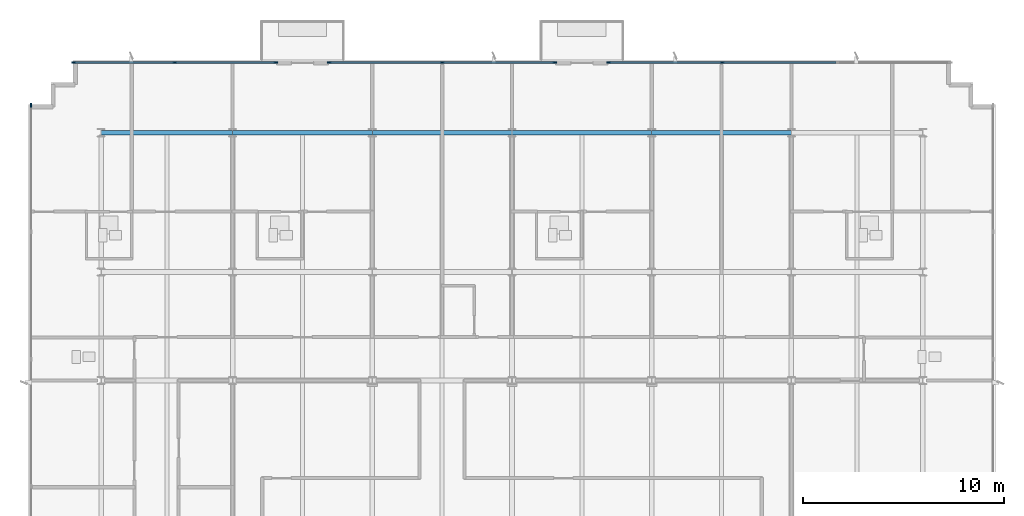
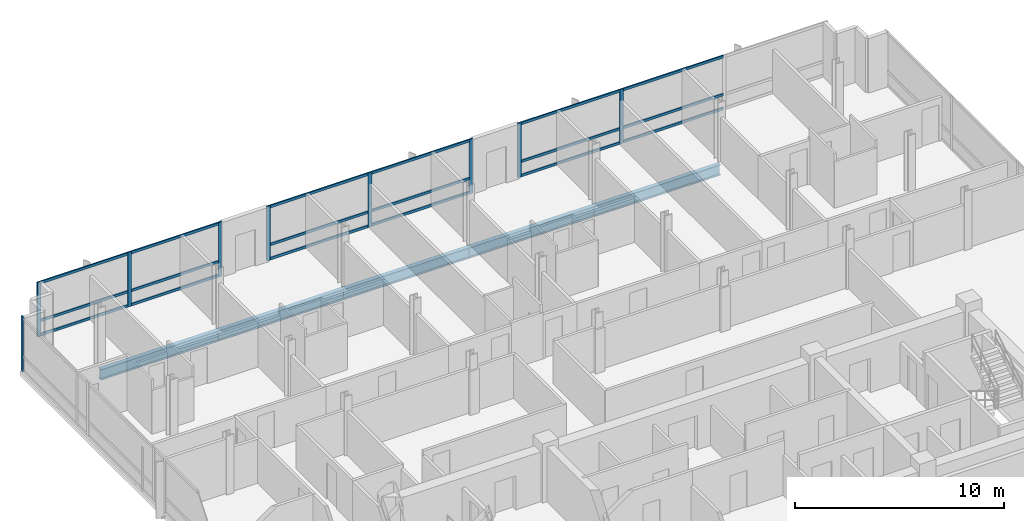
# One storey, part 5 of 15: 27 members, 5 beams, 4 elements without a shape of their own.
"""IFC4 building model written with IfcOpenShell, lengths in metres."""

from ifc_helpers import new_model, si_unit, direction, frame, origin, origin_2d, place, context, subcontext, project, spatial, rectangle, i_section, extrude, material, material_profile, profile_set, type_object, element, aggregate, save


model = new_model("IFC4")

# Units and contexts
model_context = context("Model", 3, precision=1e-05, world=origin(), true_north=direction((0.0, 1.0)))
body_context = subcontext(model_context, "Body", "Model", "MODEL_VIEW")
ifc_project = project(units=[si_unit("LENGTHUNIT", "METRE"), si_unit("AREAUNIT", "SQUARE_METRE"), si_unit("VOLUMEUNIT", "CUBIC_METRE"), si_unit("PLANEANGLEUNIT", "RADIAN"), si_unit("MASSUNIT", "GRAM", prefix="KILO")], contexts=[model_context])

# Site, building, storey
site_placement = place(None, origin())
site = spatial("IfcSite", under=ifc_project, at=site_placement, CompositionType="ELEMENT")
building_placement = place(site_placement, origin())
building = spatial("IfcBuilding", under=site, at=building_placement, Name="Solmavex Isthmus Hotel", CompositionType="ELEMENT")
storey_placement = place(building_placement, frame((0.0, 0.0, 259.199951171875)))
storey = spatial("IfcBuildingStorey", under=building, at=storey_placement, Name="L70", CompositionType="ELEMENT", Elevation=259.199951171875)

# Beams
ifc_material_1 = material(Name="Steel ASTM A992 Grade 50", Category="steel")
ifc_material_profile_1 = material_profile(ifc_material_1, i_section(OverallWidth=0.230224609375, OverallDepth=0.617431640625, WebThickness=0.01318359375, FlangeThickness=0.022216796875, FilletRadius=0.01513671875, at=origin_2d()), Name="W24X94")
ifc_profile_set_1 = profile_set([ifc_material_profile_1], Name="Steel ASTM A992 Grade 50")
beam_type = type_object("IfcBeamType", Name="BM-SP-W24X94", PredefinedType="SPANDREL", material=ifc_profile_set_1)
beam_placement = place(storey_placement, frame((-20.39990234375, 17.699951171875, -0.568603515625), z_axis=(1.0, 0.0, 0.0), x_axis=(0.0, 1.0, 0.0)))
element("IfcBeam", 1, at=beam_placement, inside=storey, type_object=beam_type, Name="Floor Girder L70-UG15", PredefinedType="SPANDREL", context=body_context, shape_type="SweptSolid", body=[
    extrude(i_section(OverallWidth=0.230224609375, OverallDepth=0.617431640625, WebThickness=0.01318359375, FlangeThickness=0.022216796875, FilletRadius=0.01513671875, at=origin_2d()), origin(), (0.0, 0.0, 1.0), 6.52783203125),
])
for number, where, z_axis, x_axis, name in (
    (2, (-13.8720703125, 17.699951171875, -0.568603515625), (1.0, 0.0, 0.0), (0.0, 1.0, 0.0), "Floor Girder L70-UG16"),
    (3, (-6.93603515625, 17.699951171875, -0.568603515625), (1.0, 0.0, 0.0), (0.0, 1.0, 0.0), "Floor Girder L70-UG17"),
    (4, (0.0, 17.699951171875, -0.568603515625), (1.0, 0.0, 0.0), (0.0, 1.0, 0.0), "Floor Girder L70-UG18"),
    (5, (6.93603515625, 17.699951171875, -0.568603515625), (1.0, 0.0, 0.0), (0.0, 1.0, 0.0), "Floor Girder L70-UG19"),
):
    element("IfcBeam", number, at=place(storey_placement, frame(where, z_axis=z_axis, x_axis=x_axis)), inside=storey, type_object=beam_type, Name=name, PredefinedType="SPANDREL", context=body_context, shape_type="SweptSolid", body=[
        extrude(i_section(OverallWidth=0.230224609375, OverallDepth=0.617431640625, WebThickness=0.01318359375, FlangeThickness=0.022216796875, FilletRadius=0.01513671875, at=origin_2d()), origin(), (0.0, 0.0, 1.0), 6.93603515625),
    ])

# Curtain wall, members
ifc_material_2 = material(Name="Aluminium alloy 6063-T6", Category="aluminium")
curtain_wall_type = type_object("IfcCurtainWallType", Name="CW-SYS-04", PredefinedType="NOTDEFINED", material=ifc_material_2)
curtain_wall_1_placement = place(storey_placement, origin())
curtain_wall_1 = element("IfcCurtainWall", 6, at=curtain_wall_1_placement, inside=storey, type_object=curtain_wall_type, Name="Stick Curtain Wall CWL-L70-N1", PredefinedType="NOTDEFINED")
ifc_material_profile_2 = material_profile(ifc_material_2, rectangle(XDim=0.074951171875, YDim=0.199951171875, at=origin_2d()), Name="CWM-75X200")
ifc_profile_set_2 = profile_set([ifc_material_profile_2], Name="Aluminium alloy 6063-T6")
member_type_1 = type_object("IfcMemberType", Name="CW-SYS-04-MUL", PredefinedType="MULLION", material=ifc_profile_set_2)
member_1_placement = place(storey_placement, frame((-21.762451171875, 21.179931640625, 0.0), z_axis=(0.0, 0.0, 1.0), x_axis=(0.0, 1.0, 0.0)))
member_1 = element("IfcMember", 7, at=member_1_placement, type_object=member_type_1, Name="CW-04 mullion 1", PredefinedType="MULLION", context=body_context, shape_type="SweptSolid", body=[
    extrude(rectangle(XDim=0.074951171875, YDim=0.199951171875, at=origin_2d()), origin(), (0.0, 0.0, 1.0), 3.18994140625),
])
member_2_placement = place(storey_placement, frame((-16.751953125, 21.179931640625, 0.0), z_axis=(0.0, 0.0, 1.0), x_axis=(0.0, 1.0, 0.0)))
member_2 = element("IfcMember", 8, at=member_2_placement, type_object=member_type_1, Name="CW-04 mullion 2", PredefinedType="MULLION", context=body_context, shape_type="SweptSolid", body=[
    extrude(rectangle(XDim=0.074951171875, YDim=0.199951171875, at=origin_2d()), origin(), (0.0, 0.0, 1.0), 3.18994140625),
])
member_3_placement = place(storey_placement, frame((-11.741455078125, 21.179931640625, 0.0), z_axis=(0.0, 0.0, 1.0), x_axis=(0.0, 1.0, 0.0)))
member_3 = element("IfcMember", 9, at=member_3_placement, type_object=member_type_1, Name="CW-04 mullion 3", PredefinedType="MULLION", context=body_context, shape_type="SweptSolid", body=[
    extrude(rectangle(XDim=0.074951171875, YDim=0.199951171875, at=origin_2d()), origin(), (0.0, 0.0, 1.0), 3.18994140625),
])

curtain_wall_2_placement = place(storey_placement, origin())
curtain_wall_2 = element("IfcCurtainWall", 10, at=curtain_wall_2_placement, inside=storey, type_object=curtain_wall_type, Name="Stick Curtain Wall CWL-L70-N2", PredefinedType="NOTDEFINED")
member_4_placement = place(storey_placement, frame((-9.06640625, 21.179931640625, 0.0), z_axis=(0.0, 0.0, 1.0), x_axis=(0.0, 1.0, 0.0)))
member_4 = element("IfcMember", 11, at=member_4_placement, type_object=member_type_1, Name="CW-04 mullion 1", PredefinedType="MULLION", context=body_context, shape_type="SweptSolid", body=[
    extrude(rectangle(XDim=0.074951171875, YDim=0.199951171875, at=origin_2d()), origin(), (0.0, 0.0, 1.0), 3.18994140625),
])
member_5_placement = place(storey_placement, frame((-3.468017578125, 21.179931640625, 0.0), z_axis=(0.0, 0.0, 1.0), x_axis=(0.0, 1.0, 0.0)))
member_5 = element("IfcMember", 12, at=member_5_placement, type_object=member_type_1, Name="CW-04 mullion 2", PredefinedType="MULLION", context=body_context, shape_type="SweptSolid", body=[
    extrude(rectangle(XDim=0.074951171875, YDim=0.199951171875, at=origin_2d()), origin(), (0.0, 0.0, 1.0), 3.18994140625),
])
member_6_placement = place(storey_placement, frame((2.130615234375, 21.179931640625, 0.0), z_axis=(0.0, 0.0, 1.0), x_axis=(0.0, 1.0, 0.0)))
member_6 = element("IfcMember", 13, at=member_6_placement, type_object=member_type_1, Name="CW-04 mullion 3", PredefinedType="MULLION", context=body_context, shape_type="SweptSolid", body=[
    extrude(rectangle(XDim=0.074951171875, YDim=0.199951171875, at=origin_2d()), origin(), (0.0, 0.0, 1.0), 3.18994140625),
])

curtain_wall_3_placement = place(storey_placement, origin())
curtain_wall_3 = element("IfcCurtainWall", 14, at=curtain_wall_3_placement, inside=storey, type_object=curtain_wall_type, Name="Stick Curtain Wall CWL-L70-N3", PredefinedType="NOTDEFINED")
member_7_placement = place(storey_placement, frame((4.805419921875, 21.179931640625, 0.0), z_axis=(0.0, 0.0, 1.0), x_axis=(0.0, 1.0, 0.0)))
member_7 = element("IfcMember", 15, at=member_7_placement, type_object=member_type_1, Name="CW-04 mullion 1", PredefinedType="MULLION", context=body_context, shape_type="SweptSolid", body=[
    extrude(rectangle(XDim=0.074951171875, YDim=0.199951171875, at=origin_2d()), origin(), (0.0, 0.0, 1.0), 3.18994140625),
])
member_8_placement = place(storey_placement, frame((10.4453125, 21.179931640625, 0.0), z_axis=(0.0, 0.0, 1.0), x_axis=(0.0, 1.0, 0.0)))
member_8 = element("IfcMember", 16, at=member_8_placement, type_object=member_type_1, Name="CW-04 mullion 2", PredefinedType="MULLION", context=body_context, shape_type="SweptSolid", body=[
    extrude(rectangle(XDim=0.074951171875, YDim=0.199951171875, at=origin_2d()), origin(), (0.0, 0.0, 1.0), 3.18994140625),
])

# Curtain wall, member
curtain_wall_4_placement = place(storey_placement, origin())
curtain_wall_4 = element("IfcCurtainWall", 17, at=curtain_wall_4_placement, inside=storey, type_object=curtain_wall_type, Name="Stick Curtain Wall CWL-L70-W1", PredefinedType="NOTDEFINED")
member_9_placement = place(storey_placement, frame((-23.8798828125, 19.0625, 0.0), z_axis=(0.0, 0.0, 1.0), x_axis=(-1.0, 0.0, 0.0)))
member_9 = element("IfcMember", 18, at=member_9_placement, type_object=member_type_1, Name="CW-04 mullion 6", PredefinedType="MULLION", context=body_context, shape_type="SweptSolid", body=[
    extrude(rectangle(XDim=0.074951171875, YDim=0.199951171875, at=origin_2d()), origin(), (0.0, 0.0, 1.0), 3.18994140625),
])
aggregate(curtain_wall_4, [member_9])

# Member
ifc_material_profile_3 = material_profile(ifc_material_2, rectangle(XDim=0.074951171875, YDim=0.14990234375, at=origin_2d()), Name="CWT-75X150")
ifc_profile_set_3 = profile_set([ifc_material_profile_3], Name="Aluminium alloy 6063-T6")
member_type_2 = type_object("IfcMemberType", Name="CW-SYS-04-TRN", PredefinedType="USERDEFINED", material=ifc_profile_set_3)
member_10_placement = place(storey_placement, frame((-21.72509765625, 21.179931640625, 0.074951171875), z_axis=(1.0, 0.0, 0.0), x_axis=(0.0, 1.0, 0.0)))
member_10 = element("IfcMember", 19, at=member_10_placement, type_object=member_type_2, Name="CW-04 transom 1.1", ObjectType="TRANSOM", PredefinedType="USERDEFINED", context=body_context, shape_type="SweptSolid", body=[
    extrude(rectangle(XDim=0.074951171875, YDim=0.14990234375, at=origin_2d()), origin(), (0.0, 0.0, 1.0), 4.935546875),
])

member_11_placement = place(storey_placement, frame((-21.72509765625, 21.179931640625, 0.900146484375), z_axis=(1.0, 0.0, 0.0), x_axis=(0.0, 1.0, 0.0)))
member_11 = element("IfcMember", 20, at=member_11_placement, type_object=member_type_2, Name="CW-04 transom 1.2", ObjectType="TRANSOM", PredefinedType="USERDEFINED", context=body_context, shape_type="SweptSolid", body=[
    extrude(rectangle(XDim=0.074951171875, YDim=0.14990234375, at=origin_2d()), origin(), (0.0, 0.0, 1.0), 4.935546875),
])

member_12_placement = place(storey_placement, frame((-21.72509765625, 21.179931640625, 3.114990234375), z_axis=(1.0, 0.0, 0.0), x_axis=(0.0, 1.0, 0.0)))
member_12 = element("IfcMember", 21, at=member_12_placement, type_object=member_type_2, Name="CW-04 transom 1.3", ObjectType="TRANSOM", PredefinedType="USERDEFINED", context=body_context, shape_type="SweptSolid", body=[
    extrude(rectangle(XDim=0.074951171875, YDim=0.14990234375, at=origin_2d()), origin(), (0.0, 0.0, 1.0), 4.935546875),
])

member_13_placement = place(storey_placement, frame((-16.714599609375, 21.179931640625, 0.074951171875), z_axis=(1.0, 0.0, 0.0), x_axis=(0.0, 1.0, 0.0)))
member_13 = element("IfcMember", 22, at=member_13_placement, type_object=member_type_2, Name="CW-04 transom 2.1", ObjectType="TRANSOM", PredefinedType="USERDEFINED", context=body_context, shape_type="SweptSolid", body=[
    extrude(rectangle(XDim=0.074951171875, YDim=0.14990234375, at=origin_2d()), origin(), (0.0, 0.0, 1.0), 4.935546875),
])

member_14_placement = place(storey_placement, frame((-16.714599609375, 21.179931640625, 0.900146484375), z_axis=(1.0, 0.0, 0.0), x_axis=(0.0, 1.0, 0.0)))
member_14 = element("IfcMember", 23, at=member_14_placement, type_object=member_type_2, Name="CW-04 transom 2.2", ObjectType="TRANSOM", PredefinedType="USERDEFINED", context=body_context, shape_type="SweptSolid", body=[
    extrude(rectangle(XDim=0.074951171875, YDim=0.14990234375, at=origin_2d()), origin(), (0.0, 0.0, 1.0), 4.935546875),
])

member_15_placement = place(storey_placement, frame((-16.714599609375, 21.179931640625, 3.114990234375), z_axis=(1.0, 0.0, 0.0), x_axis=(0.0, 1.0, 0.0)))
member_15 = element("IfcMember", 24, at=member_15_placement, type_object=member_type_2, Name="CW-04 transom 2.3", ObjectType="TRANSOM", PredefinedType="USERDEFINED", context=body_context, shape_type="SweptSolid", body=[
    extrude(rectangle(XDim=0.074951171875, YDim=0.14990234375, at=origin_2d()), origin(), (0.0, 0.0, 1.0), 4.935546875),
])

aggregate(curtain_wall_1, [member_1, member_2, member_3, member_10, member_11, member_12, member_13, member_14, member_15])

member_16_placement = place(storey_placement, frame((-9.029052734375, 21.179931640625, 0.074951171875), z_axis=(1.0, 0.0, 0.0), x_axis=(0.0, 1.0, 0.0)))
member_16 = element("IfcMember", 25, at=member_16_placement, type_object=member_type_2, Name="CW-04 transom 1.1", ObjectType="TRANSOM", PredefinedType="USERDEFINED", context=body_context, shape_type="SweptSolid", body=[
    extrude(rectangle(XDim=0.074951171875, YDim=0.14990234375, at=origin_2d()), origin(), (0.0, 0.0, 1.0), 5.5234375),
])

member_17_placement = place(storey_placement, frame((-9.029052734375, 21.179931640625, 0.900146484375), z_axis=(1.0, 0.0, 0.0), x_axis=(0.0, 1.0, 0.0)))
member_17 = element("IfcMember", 26, at=member_17_placement, type_object=member_type_2, Name="CW-04 transom 1.2", ObjectType="TRANSOM", PredefinedType="USERDEFINED", context=body_context, shape_type="SweptSolid", body=[
    extrude(rectangle(XDim=0.074951171875, YDim=0.14990234375, at=origin_2d()), origin(), (0.0, 0.0, 1.0), 5.5234375),
])

member_18_placement = place(storey_placement, frame((-9.029052734375, 21.179931640625, 3.114990234375), z_axis=(1.0, 0.0, 0.0), x_axis=(0.0, 1.0, 0.0)))
member_18 = element("IfcMember", 27, at=member_18_placement, type_object=member_type_2, Name="CW-04 transom 1.3", ObjectType="TRANSOM", PredefinedType="USERDEFINED", context=body_context, shape_type="SweptSolid", body=[
    extrude(rectangle(XDim=0.074951171875, YDim=0.14990234375, at=origin_2d()), origin(), (0.0, 0.0, 1.0), 5.5234375),
])

member_19_placement = place(storey_placement, frame((-3.430419921875, 21.179931640625, 0.074951171875), z_axis=(1.0, 0.0, 0.0), x_axis=(0.0, 1.0, 0.0)))
member_19 = element("IfcMember", 28, at=member_19_placement, type_object=member_type_2, Name="CW-04 transom 2.1", ObjectType="TRANSOM", PredefinedType="USERDEFINED", context=body_context, shape_type="SweptSolid", body=[
    extrude(rectangle(XDim=0.074951171875, YDim=0.14990234375, at=origin_2d()), origin(), (0.0, 0.0, 1.0), 5.5234375),
])

member_20_placement = place(storey_placement, frame((-3.430419921875, 21.179931640625, 0.900146484375), z_axis=(1.0, 0.0, 0.0), x_axis=(0.0, 1.0, 0.0)))
member_20 = element("IfcMember", 29, at=member_20_placement, type_object=member_type_2, Name="CW-04 transom 2.2", ObjectType="TRANSOM", PredefinedType="USERDEFINED", context=body_context, shape_type="SweptSolid", body=[
    extrude(rectangle(XDim=0.074951171875, YDim=0.14990234375, at=origin_2d()), origin(), (0.0, 0.0, 1.0), 5.5234375),
])

member_21_placement = place(storey_placement, frame((-3.430419921875, 21.179931640625, 3.114990234375), z_axis=(1.0, 0.0, 0.0), x_axis=(0.0, 1.0, 0.0)))
member_21 = element("IfcMember", 30, at=member_21_placement, type_object=member_type_2, Name="CW-04 transom 2.3", ObjectType="TRANSOM", PredefinedType="USERDEFINED", context=body_context, shape_type="SweptSolid", body=[
    extrude(rectangle(XDim=0.074951171875, YDim=0.14990234375, at=origin_2d()), origin(), (0.0, 0.0, 1.0), 5.5234375),
])

aggregate(curtain_wall_2, [member_4, member_5, member_6, member_16, member_17, member_18, member_19, member_20, member_21])

member_22_placement = place(storey_placement, frame((4.843017578125, 21.179931640625, 0.074951171875), z_axis=(1.0, 0.0, 0.0), x_axis=(0.0, 1.0, 0.0)))
member_22 = element("IfcMember", 31, at=member_22_placement, type_object=member_type_2, Name="CW-04 transom 1.1", ObjectType="TRANSOM", PredefinedType="USERDEFINED", context=body_context, shape_type="SweptSolid", body=[
    extrude(rectangle(XDim=0.074951171875, YDim=0.14990234375, at=origin_2d()), origin(), (0.0, 0.0, 1.0), 5.564697265625),
])

member_23_placement = place(storey_placement, frame((4.843017578125, 21.179931640625, 0.900146484375), z_axis=(1.0, 0.0, 0.0), x_axis=(0.0, 1.0, 0.0)))
member_23 = element("IfcMember", 32, at=member_23_placement, type_object=member_type_2, Name="CW-04 transom 1.2", ObjectType="TRANSOM", PredefinedType="USERDEFINED", context=body_context, shape_type="SweptSolid", body=[
    extrude(rectangle(XDim=0.074951171875, YDim=0.14990234375, at=origin_2d()), origin(), (0.0, 0.0, 1.0), 5.564697265625),
])

member_24_placement = place(storey_placement, frame((4.843017578125, 21.179931640625, 3.114990234375), z_axis=(1.0, 0.0, 0.0), x_axis=(0.0, 1.0, 0.0)))
member_24 = element("IfcMember", 33, at=member_24_placement, type_object=member_type_2, Name="CW-04 transom 1.3", ObjectType="TRANSOM", PredefinedType="USERDEFINED", context=body_context, shape_type="SweptSolid", body=[
    extrude(rectangle(XDim=0.074951171875, YDim=0.14990234375, at=origin_2d()), origin(), (0.0, 0.0, 1.0), 5.564697265625),
])

member_25_placement = place(storey_placement, frame((10.48291015625, 21.179931640625, 0.074951171875), z_axis=(1.0, 0.0, 0.0), x_axis=(0.0, 1.0, 0.0)))
member_25 = element("IfcMember", 34, at=member_25_placement, type_object=member_type_2, Name="CW-04 transom 2.1", ObjectType="TRANSOM", PredefinedType="USERDEFINED", context=body_context, shape_type="SweptSolid", body=[
    extrude(rectangle(XDim=0.074951171875, YDim=0.14990234375, at=origin_2d()), origin(), (0.0, 0.0, 1.0), 5.602294921875),
])

member_26_placement = place(storey_placement, frame((10.48291015625, 21.179931640625, 0.900146484375), z_axis=(1.0, 0.0, 0.0), x_axis=(0.0, 1.0, 0.0)))
member_26 = element("IfcMember", 35, at=member_26_placement, type_object=member_type_2, Name="CW-04 transom 2.2", ObjectType="TRANSOM", PredefinedType="USERDEFINED", context=body_context, shape_type="SweptSolid", body=[
    extrude(rectangle(XDim=0.074951171875, YDim=0.14990234375, at=origin_2d()), origin(), (0.0, 0.0, 1.0), 5.602294921875),
])

member_27_placement = place(storey_placement, frame((10.48291015625, 21.179931640625, 3.114990234375), z_axis=(1.0, 0.0, 0.0), x_axis=(0.0, 1.0, 0.0)))
member_27 = element("IfcMember", 36, at=member_27_placement, type_object=member_type_2, Name="CW-04 transom 2.3", ObjectType="TRANSOM", PredefinedType="USERDEFINED", context=body_context, shape_type="SweptSolid", body=[
    extrude(rectangle(XDim=0.074951171875, YDim=0.14990234375, at=origin_2d()), origin(), (0.0, 0.0, 1.0), 5.602294921875),
])

aggregate(curtain_wall_3, [member_7, member_8, member_22, member_23, member_24, member_25, member_26, member_27])

save(model, "model.ifc")
